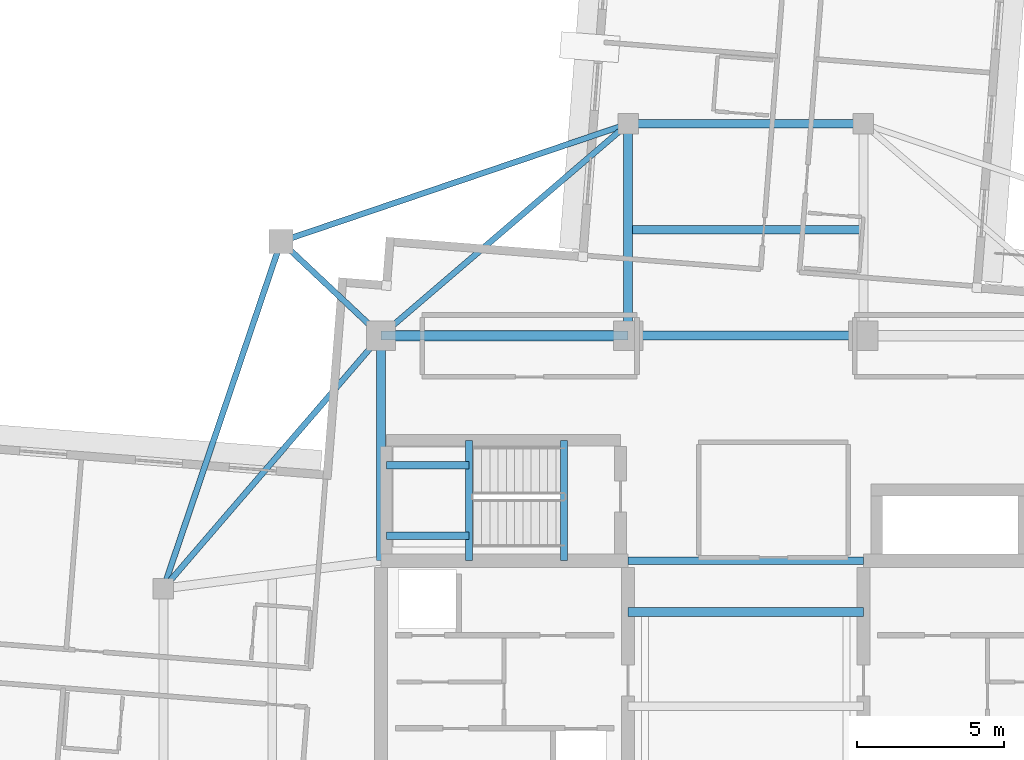
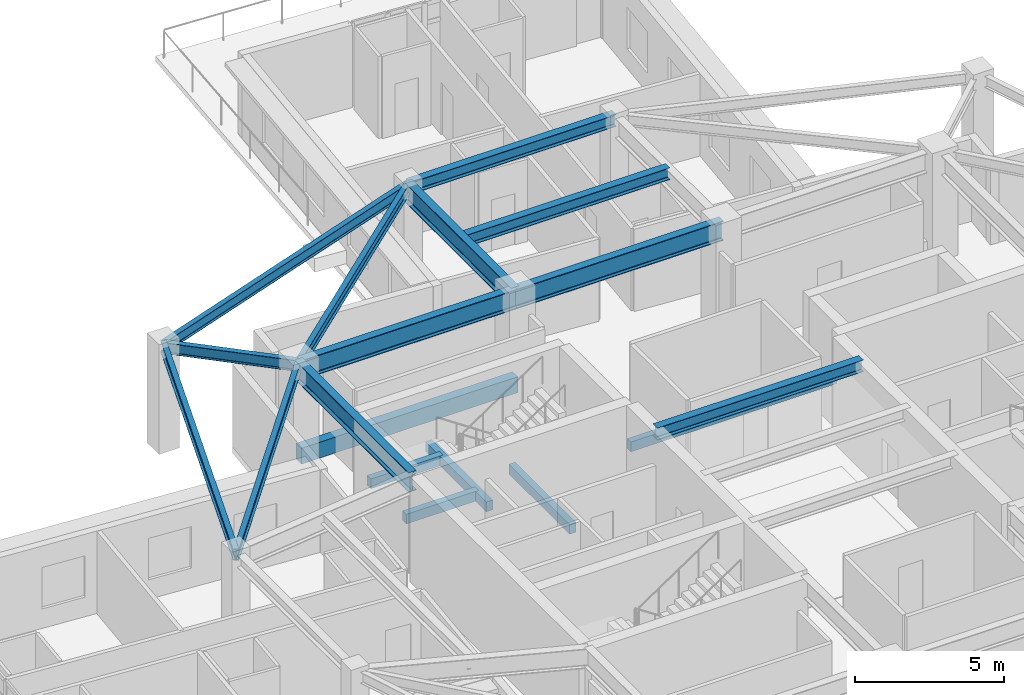
# One storey, part 8 of 23: 18 beams.
"""IFC4 building model written with IfcOpenShell, lengths in metres."""

import ifcopenshell
import ifcopenshell.guid

model = None  # the IFC model being written
_history = None  # IfcOwnerHistory: only IFC2X3 demands one
_inside = {}  # id of a spatial element -> (the spatial element, [elements in it])
_under = {}  # id of a project, library or spatial element -> (it, [spatial elements below it])
_declared = {}  # id of a project -> (the project, [libraries it declares])
_typed = {}  # id of a type object -> (the type object, [elements of that type])
_made_of = {}  # id of a material, layer set ... -> (it, [elements and type objects made of it])


def new_model(schema):
    """Start an empty IFC model of exactly this schema.

    Asked for "IFC4X3", IfcOpenShell would pick the latest addendum, in which some entities
    have other attributes; the version numbers below select the first issue.
    IFC2X3 requires an IfcOwnerHistory on every rooted entity: one is made here for all.
    """
    global model, _history
    if schema == "IFC4X3":
        model = ifcopenshell.file(schema_version=(4, 3, 0, 0))
    else:
        model = ifcopenshell.file(schema=schema)
    _inside.clear()
    _under.clear()
    _declared.clear()
    _typed.clear()
    _made_of.clear()
    _history = None
    if model.schema == "IFC2X3":
        org = make("IfcOrganization", Name="unknown")
        user = make(
            "IfcPersonAndOrganization",
            ThePerson=make("IfcPerson", FamilyName="unknown"),
            TheOrganization=org,
        )
        app = make(
            "IfcApplication",
            ApplicationDeveloper=org,
            Version="unknown",
            ApplicationFullName="unknown",
            ApplicationIdentifier="unknown",
        )
        _history = make(
            "IfcOwnerHistory",
            OwningUser=user,
            OwningApplication=app,
            ChangeAction="ADDED",
            CreationDate=0,
        )
    return model


def make(cls, **values):
    """One entity of the class cls with the attributes given. An attribute that is None is left unset."""
    return model.create_entity(
        cls, **{name: value for name, value in values.items() if value is not None}
    )


def rooted(cls, **values):
    """An entity with a GlobalId (a new one), such as an element, a storey or a relation."""
    return make(cls, GlobalId=ifcopenshell.guid.new(), OwnerHistory=_history, **values)


def si_unit(unit_type, name, prefix=None):
    """IfcSIUnit, for example si_unit("LENGTHUNIT", "METRE", prefix="MILLI")."""
    return make("IfcSIUnit", UnitType=unit_type, Prefix=prefix, Name=name)


def assignment(units):
    """IfcUnitAssignment: the units of a project."""
    return None if units is None else make("IfcUnitAssignment", Units=units)


def point(xyz):
    """IfcCartesianPoint."""
    return None if xyz is None else make("IfcCartesianPoint", Coordinates=xyz)


def direction(xyz):
    """IfcDirection."""
    return None if xyz is None else make("IfcDirection", DirectionRatios=xyz)


def frame(location, z_axis=None, x_axis=None):
    """IfcAxis2Placement3D, a coordinate frame: its origin and axes. An axis left out is left unset."""
    return make(
        "IfcAxis2Placement3D",
        Location=point(location),
        Axis=direction(z_axis),
        RefDirection=direction(x_axis),
    )


def frame_2d(location, x_axis=None):
    """IfcAxis2Placement2D, a coordinate frame in the plane: its origin and x axis."""
    return make(
        "IfcAxis2Placement2D", Location=point(location), RefDirection=direction(x_axis)
    )


def origin():
    """The frame at (0, 0, 0) with its axes left unset."""
    return frame((0.0, 0.0, 0.0))


def origin_2d():
    """The frame at (0, 0) in the plane with its x axis left unset."""
    return frame_2d((0.0, 0.0))


def place(relative_to, where):
    """IfcLocalPlacement: puts the frame where relative to a parent placement (None: the world)."""
    return make(
        "IfcLocalPlacement", PlacementRelTo=relative_to, RelativePlacement=where
    )


def context(
    kind, dimensions, precision=None, world=None, true_north=None, identifier=None
):
    """IfcGeometricRepresentationContext, for example the 3D "Model" context."""
    return make(
        "IfcGeometricRepresentationContext",
        ContextIdentifier=identifier,
        ContextType=kind,
        CoordinateSpaceDimension=dimensions,
        Precision=precision,
        WorldCoordinateSystem=world,
        TrueNorth=true_north,
    )


def subcontext(parent, identifier, kind, view, scale=None):
    """IfcGeometricRepresentationSubContext, for example "Body" below "Model"."""
    return make(
        "IfcGeometricRepresentationSubContext",
        ContextIdentifier=identifier,
        ContextType=kind,
        ParentContext=parent,
        TargetScale=scale,
        TargetView=view,
    )


def project(units=None, contexts=None):
    """IfcProject with its units and contexts."""
    return rooted(
        "IfcProject",
        Name="project",
        RepresentationContexts=contexts,
        UnitsInContext=assignment(units),
    )


def spatial(cls, under=None, at=None, **own):
    """A site, building, storey or space (cls), placed at a placement, below another one or the project."""
    s = rooted(cls, ObjectPlacement=at, **own)
    if under is not None:
        _under.setdefault(under.id(), (under, []))[1].append(s)
    return s


def profile(cls, at=None, kind="AREA", **sizes):
    """A parametric profile (cls). Its sizes go by their IFC names, for example OverallWidth=200.0."""
    return make(cls, ProfileType=kind, Position=at, **sizes)


def rectangle(**sizes):
    """IfcRectangleProfileDef."""
    return profile("IfcRectangleProfileDef", **sizes)


def i_section(**sizes):
    """IfcIShapeProfileDef."""
    return profile("IfcIShapeProfileDef", **sizes)


def extrude(swept, where, along, depth):
    """IfcExtrudedAreaSolid: the profile swept, set in the frame where, extruded along a direction by depth."""
    return make(
        "IfcExtrudedAreaSolid",
        SweptArea=swept,
        Position=where,
        ExtrudedDirection=direction(along),
        Depth=depth,
    )


def shape(context_of_items, identifier, shape_type, items):
    """IfcShapeRepresentation: the items that make up one representation, for example the "Body"."""
    return make(
        "IfcShapeRepresentation",
        ContextOfItems=context_of_items,
        RepresentationIdentifier=identifier,
        RepresentationType=shape_type,
        Items=items,
    )


def material(Name=None, Category=None):
    """IfcMaterial."""
    return make("IfcMaterial", Name=Name, Category=Category)


def material_profile(
    of_material, cross_section, Name=None, Category=None, Priority=None
):
    """IfcMaterialProfile: a cross section and its material."""
    return make(
        "IfcMaterialProfile",
        Name=Name,
        Material=of_material,
        Profile=cross_section,
        Priority=Priority,
        Category=Category,
    )


def profile_set(profiles, Name=None, composite=None):
    """IfcMaterialProfileSet."""
    return make(
        "IfcMaterialProfileSet",
        Name=Name,
        MaterialProfiles=profiles,
        CompositeProfile=composite,
    )


def made_of(thing, what):
    """Note that an element or type object is made of a material, layer set ...; save() writes the relation."""
    if what is not None:
        _made_of.setdefault(what.id(), (what, []))[1].append(thing)
    return thing


def type_object(cls, material=None, **own):
    """A type object (cls), such as IfcWallType, which elements share."""
    return made_of(rooted(cls, **own), material)


def element(
    cls,
    number,
    at=None,
    inside=None,
    cuts=None,
    type_object=None,
    material=None,
    context=None,
    identifier="Body",
    shape_type=None,
    held_by="IfcProductDefinitionShape",
    body=None,
    shapes=None,
    **own,
):
    """One element of the class cls, such as IfcWall. Its Tag is "e" and its number.

    at: its placement. inside: the storey or other place that contains it. cuts: it is an
    opening in that element (IfcRelVoidsElement). A single representation is given by context,
    identifier, shape_type and body (its items); several are given by shapes. held_by: the class
    of the entity that holds the representations. save() writes the other relations.
    """
    e = rooted(cls, Tag="e%d" % number, ObjectPlacement=at, **own)
    if body is not None:
        shapes = [shape(context, identifier, shape_type, body)]
    if shapes is not None:
        e.Representation = make(held_by, Representations=shapes)
    if inside is not None:
        _inside.setdefault(inside.id(), (inside, []))[1].append(e)
    if cuts is not None:
        rooted(
            "IfcRelVoidsElement", RelatingBuildingElement=cuts, RelatedOpeningElement=e
        )
    if type_object is not None:
        _typed.setdefault(type_object.id(), (type_object, []))[1].append(e)
    return made_of(e, material)


def aggregate(whole, parts):
    """IfcRelAggregates: a whole, such as a stair, and the parts it consists of."""
    return rooted("IfcRelAggregates", RelatingObject=whole, RelatedObjects=parts)


def save(model, path):
    """Write the relations noted so far, then the file.

    IfcRelAggregates (storeys below a building ...), IfcRelContainedInSpatialStructure (elements
    in a storey), IfcRelDefinesByType, IfcRelAssociatesMaterial and IfcRelDeclares: one each for
    every whole, place, type object, material and project.
    """
    for whole, parts in _under.values():
        aggregate(whole, parts)
    for where, things in _inside.values():
        rooted(
            "IfcRelContainedInSpatialStructure",
            RelatedElements=things,
            RelatingStructure=where,
        )
    for kind, things in _typed.values():
        rooted("IfcRelDefinesByType", RelatedObjects=things, RelatingType=kind)
    for what, things in _made_of.values():
        rooted("IfcRelAssociatesMaterial", RelatedObjects=things, RelatingMaterial=what)
    for by, libraries in _declared.values():
        rooted("IfcRelDeclares", RelatingContext=by, RelatedDefinitions=libraries)
    model.write(path)


model = new_model("IFC4")

# Units and contexts
model_context = context("Model", 3, precision=1e-05, world=origin(), true_north=direction((0.0, 1.0)))
body_context = subcontext(model_context, "Body", "Model", "MODEL_VIEW")
ifc_project = project(units=[si_unit("LENGTHUNIT", "METRE"), si_unit("AREAUNIT", "SQUARE_METRE"), si_unit("VOLUMEUNIT", "CUBIC_METRE"), si_unit("PLANEANGLEUNIT", "RADIAN"), si_unit("MASSUNIT", "GRAM", prefix="KILO")], contexts=[model_context])

# Site, building, storey
site_placement = place(None, origin())
site = spatial("IfcSite", under=ifc_project, at=site_placement, CompositionType="ELEMENT")
building_placement = place(site_placement, origin())
building = spatial("IfcBuilding", under=site, at=building_placement, Name="Qingluan Cross Belvedere", CompositionType="ELEMENT")
storey_placement = place(building_placement, frame((0.0, 0.0, 245.39990234375)))
storey = spatial("IfcBuildingStorey", under=building, at=storey_placement, Name="L61", CompositionType="ELEMENT", Elevation=245.39990234375)

# Beams
ifc_material_1 = material(Name="Concrete C45", Category="concrete")
ifc_material_profile_1 = material_profile(ifc_material_1, rectangle(XDim=0.25, YDim=0.39990234375, at=origin_2d()), Name="RC250x400")
ifc_profile_set_1 = profile_set([ifc_material_profile_1], Name="Concrete C45")
beam_type_1 = type_object("IfcBeamType", Name="RC_Lintel_RC250x400", PredefinedType="LINTEL", material=ifc_profile_set_1)
for number, where, z_axis, x_axis, name in (
    (1, (-6.179931640625, 4.949951171875, -0.199951171875), (0.0, 1.0, 0.0), (-1.0, 0.0, 0.0), "Stair ST3 landing beam L61"),
    (2, (-9.409912109375, 4.949951171875, 1.85009765625), (0.0, 1.0, 0.0), (-1.0, 0.0, 0.0), "Stair ST3 beam A L61"),
):
    element("IfcBeam", number, at=place(storey_placement, frame(where, z_axis=z_axis, x_axis=x_axis)), inside=storey, type_object=beam_type_1, Name=name, PredefinedType="LINTEL", context=body_context, shape_type="SweptSolid", body=[
        extrude(rectangle(XDim=0.25, YDim=0.39990234375, at=origin_2d()), origin(), (0.0, 0.0, 1.0), 4.090087890625),
    ])
for number, where, z_axis, x_axis, name in (
    (3, (-12.219970703125, 5.800048828125, 1.85009765625), (1.0, 0.0, 0.0), (0.0, 1.0, 0.0), "Stair ST3 beam B L61"),
    (4, (-12.219970703125, 8.18994140625, 1.85009765625), (1.0, 0.0, 0.0), (0.0, 1.0, 0.0), "Stair ST3 beam C L61"),
):
    element("IfcBeam", number, at=place(storey_placement, frame(where, z_axis=z_axis, x_axis=x_axis)), inside=storey, type_object=beam_type_1, Name=name, PredefinedType="LINTEL", context=body_context, shape_type="SweptSolid", body=[
        extrude(rectangle(XDim=0.25, YDim=0.39990234375, at=origin_2d()), origin(), (0.0, 0.0, 1.0), 2.81005859375),
    ])
beam_1_placement = place(storey_placement, frame((-4.0, 4.949951171875, 2.4501953125), z_axis=(1.0, 0.0, 0.0), x_axis=(0.0, 1.0, 0.0)))
element("IfcBeam", 5, at=beam_1_placement, inside=storey, type_object=beam_type_1, Name="Core coupling lintel beam L61", PredefinedType="LINTEL", context=body_context, shape_type="SweptSolid", body=[
    extrude(rectangle(XDim=0.25, YDim=0.39990234375, at=origin_2d()), origin(), (0.0, 0.0, 1.0), 8.0),
])
ifc_material_2 = material(Name="Concrete C45", Category="concrete")
ifc_material_profile_2 = material_profile(ifc_material_2, rectangle(XDim=0.35009765625, YDim=0.64990234375, at=origin_2d()), Name="RC350x650")
ifc_profile_set_2 = profile_set([ifc_material_profile_2], Name="Concrete C45")
beam_type_2 = type_object("IfcBeamType", Name="RC_Spandrel_RC350x650", PredefinedType="SPANDREL", material=ifc_profile_set_2)
beam_2_placement = place(storey_placement, frame((-12.39990234375, 12.60009765625, 0.400146484375), z_axis=(1.0, 0.0, 0.0), x_axis=(0.0, 1.0, 0.0)))
element("IfcBeam", 6, at=beam_2_placement, inside=storey, type_object=beam_type_2, Name="Perimeter RC spandrel beam L61-NW", PredefinedType="SPANDREL", context=body_context, shape_type="SweptSolid", body=[
    extrude(rectangle(XDim=0.35009765625, YDim=0.64990234375, at=origin_2d()), origin(), (0.0, 0.0, 1.0), 8.39990234375),
])
ifc_material_3 = material(Name="Steel Q420GJB", Category="steel")
ifc_material_profile_3 = material_profile(ifc_material_3, i_section(OverallWidth=0.300048828125, OverallDepth=0.488037109375, WebThickness=0.010986328125, FlangeThickness=0.01806640625, FilletRadius=0.02197265625, at=origin_2d()), Name="HM488x300x11x18")
ifc_profile_set_3 = profile_set([ifc_material_profile_3], Name="Steel Q420GJB")
beam_type_3 = type_object("IfcBeamType", Name="Steel_Beam_HM488x300x11x18", PredefinedType="BEAM", material=ifc_profile_set_3)
for number, where, z_axis, x_axis, name in (
    (7, (-4.0, 3.199951171875, 4.05615234375), (1.0, 0.0, 0.0), (0.0, 1.0, 0.0), "Hall beam L61-CH3"),
    (8, (-4.0, 19.800048828125, 4.05615234375), (1.0, 0.0, 0.0), (0.0, 1.0, 0.0), "Arm N tie L61"),
    (9, (-4.0, 16.199951171875, 4.05615234375), (1.0, 0.0, 0.0), (0.0, 1.0, 0.0), "Arm N beam L61"),
):
    element("IfcBeam", number, at=place(storey_placement, frame(where, z_axis=z_axis, x_axis=x_axis)), inside=storey, type_object=beam_type_3, Name=name, PredefinedType="BEAM", context=body_context, shape_type="SweptSolid", body=[
        extrude(i_section(OverallWidth=0.300048828125, OverallDepth=0.488037109375, WebThickness=0.010986328125, FlangeThickness=0.01806640625, FilletRadius=0.02197265625, at=origin_2d()), origin(), (0.0, 0.0, 1.0), 8.0),
    ])
ifc_material_4 = material(Name="Steel Q420GJB", Category="steel")
ifc_material_profile_4 = material_profile(ifc_material_4, i_section(OverallWidth=0.199951171875, OverallDepth=0.449951171875, WebThickness=0.009033203125, FlangeThickness=0.013916015625, FilletRadius=0.01611328125, at=origin_2d()), Name="HN450x200x9x14")
ifc_profile_set_4 = profile_set([ifc_material_profile_4], Name="Steel Q420GJB")
beam_type_4 = type_object("IfcBeamType", Name="Steel_Beam_HN450x200x9x14", PredefinedType="JOIST", material=ifc_profile_set_4)
beam_3_placement = place(storey_placement, frame((-12.39990234375, 12.60009765625, 4.05517578125), z_axis=(-0.728219948308, 0.685343495546, 0.0), x_axis=(-0.685343495546, -0.728219948308, 0.0)))
element("IfcBeam", 10, at=beam_3_placement, inside=storey, type_object=beam_type_4, Name="Corner beam 1 L61-RNW", PredefinedType="JOIST", context=body_context, shape_type="SweptSolid", body=[
    extrude(i_section(OverallWidth=0.199951171875, OverallDepth=0.449951171875, WebThickness=0.009033203125, FlangeThickness=0.013916015625, FilletRadius=0.01611328125, at=origin_2d()), origin(), (0.0, 0.0, 1.0), 4.669189453125),
])
for number, where, z_axis, x_axis, name in (
    (11, (-15.800048828125, 15.800048828125, 4.05517578125), (0.947066283324, 0.321038089628, 0.0), (-0.321038089628, 0.947066283324, 0.0), "Corner beam 2 L61-RNW"),
    (12, (-15.800048828125, 15.800048828125, 4.0751953125), (-0.321038089628, -0.947066283324, 0.0), (0.947066283324, -0.321038089628, 0.0), "Corner beam 3 L61-RNW"),
):
    element("IfcBeam", number, at=place(storey_placement, frame(where, z_axis=z_axis, x_axis=x_axis)), inside=storey, type_object=beam_type_4, Name=name, PredefinedType="JOIST", context=body_context, shape_type="SweptSolid", body=[
        extrude(i_section(OverallWidth=0.199951171875, OverallDepth=0.449951171875, WebThickness=0.009033203125, FlangeThickness=0.013916015625, FilletRadius=0.01611328125, at=origin_2d()), origin(), (0.0, 0.0, 1.0), 12.45947265625),
    ])
beam_4_placement = place(storey_placement, frame((-12.39990234375, 12.60009765625, 4.05517578125), z_axis=(-0.652245077546, -0.75800815221, 0.0), x_axis=(0.75800815221, -0.652245077546, 0.0)))
element("IfcBeam", 13, at=beam_4_placement, inside=storey, type_object=beam_type_4, Name="Corner beam 4 L61-RNW", PredefinedType="JOIST", context=body_context, shape_type="SweptSolid", body=[
    extrude(i_section(OverallWidth=0.199951171875, OverallDepth=0.449951171875, WebThickness=0.009033203125, FlangeThickness=0.013916015625, FilletRadius=0.01611328125, at=origin_2d()), origin(), (0.0, 0.0, 1.0), 11.345703125),
])
beam_5_placement = place(storey_placement, frame((-12.39990234375, 12.60009765625, 4.05517578125), z_axis=(0.759255044656, 0.650793190779, 0.0), x_axis=(-0.650793190779, 0.759255044656, 0.0)))
element("IfcBeam", 14, at=beam_5_placement, inside=storey, type_object=beam_type_4, Name="Corner beam 5 L61-RNW", PredefinedType="JOIST", context=body_context, shape_type="SweptSolid", body=[
    extrude(i_section(OverallWidth=0.199951171875, OverallDepth=0.449951171875, WebThickness=0.009033203125, FlangeThickness=0.013916015625, FilletRadius=0.01611328125, at=origin_2d()), origin(), (0.0, 0.0, 1.0), 11.063232421875),
])
ifc_material_5 = material(Name="Steel Q420GJB", Category="steel")
ifc_material_profile_5 = material_profile(ifc_material_5, i_section(OverallWidth=0.300048828125, OverallDepth=0.800048828125, WebThickness=0.015380859375, FlangeThickness=0.028076171875, FilletRadius=0.030029296875, at=origin_2d()), Name="HEB800")
ifc_profile_set_5 = profile_set([ifc_material_profile_5], Name="Steel Q420GJB")
beam_type_5 = type_object("IfcBeamType", Name="Steel_Girder_HEB800", PredefinedType="USERDEFINED", material=ifc_profile_set_5)
beam_6_placement = place(storey_placement, frame((-12.39990234375, 12.60009765625, 3.900146484375), z_axis=(1.0, 0.0, 0.0), x_axis=(0.0, 1.0, 0.0)))
element("IfcBeam", 15, at=beam_6_placement, inside=storey, type_object=beam_type_5, Name="Hub girder L61-HG-N1", ObjectType="GIRDER", PredefinedType="USERDEFINED", context=body_context, shape_type="SweptSolid", body=[
    extrude(i_section(OverallWidth=0.300048828125, OverallDepth=0.800048828125, WebThickness=0.015380859375, FlangeThickness=0.028076171875, FilletRadius=0.030029296875, at=origin_2d()), origin(), (0.0, 0.0, 1.0), 8.39990234375),
])
beam_7_placement = place(storey_placement, frame((-4.0, 12.60009765625, 3.900146484375), z_axis=(1.0, 0.0, 0.0), x_axis=(0.0, 1.0, 0.0)))
element("IfcBeam", 16, at=beam_7_placement, inside=storey, type_object=beam_type_5, Name="Hub girder L61-HG-N2", ObjectType="GIRDER", PredefinedType="USERDEFINED", context=body_context, shape_type="SweptSolid", body=[
    extrude(i_section(OverallWidth=0.300048828125, OverallDepth=0.800048828125, WebThickness=0.015380859375, FlangeThickness=0.028076171875, FilletRadius=0.030029296875, at=origin_2d()), origin(), (0.0, 0.0, 1.0), 8.0),
])
beam_8_placement = place(storey_placement, frame((-12.39990234375, 4.949951171875, 3.900146484375), z_axis=(0.0, 1.0, 0.0), x_axis=(-1.0, 0.0, 0.0)))
element("IfcBeam", 17, at=beam_8_placement, inside=storey, type_object=beam_type_5, Name="Hub girder L61-HG-W2", ObjectType="GIRDER", PredefinedType="USERDEFINED", context=body_context, shape_type="SweptSolid", body=[
    extrude(i_section(OverallWidth=0.300048828125, OverallDepth=0.800048828125, WebThickness=0.015380859375, FlangeThickness=0.028076171875, FilletRadius=0.030029296875, at=origin_2d()), origin(), (0.0, 0.0, 1.0), 7.650146484375),
])
beam_9_placement = place(storey_placement, frame((-4.0, 12.60009765625, 3.900146484375), z_axis=(0.0, 1.0, 0.0), x_axis=(-1.0, 0.0, 0.0)))
element("IfcBeam", 18, at=beam_9_placement, inside=storey, type_object=beam_type_5, Name="Arm N radial girder A L61", ObjectType="GIRDER", PredefinedType="USERDEFINED", context=body_context, shape_type="SweptSolid", body=[
    extrude(i_section(OverallWidth=0.300048828125, OverallDepth=0.800048828125, WebThickness=0.015380859375, FlangeThickness=0.028076171875, FilletRadius=0.030029296875, at=origin_2d()), origin(), (0.0, 0.0, 1.0), 7.199951171875),
])

save(model, "model.ifc")
